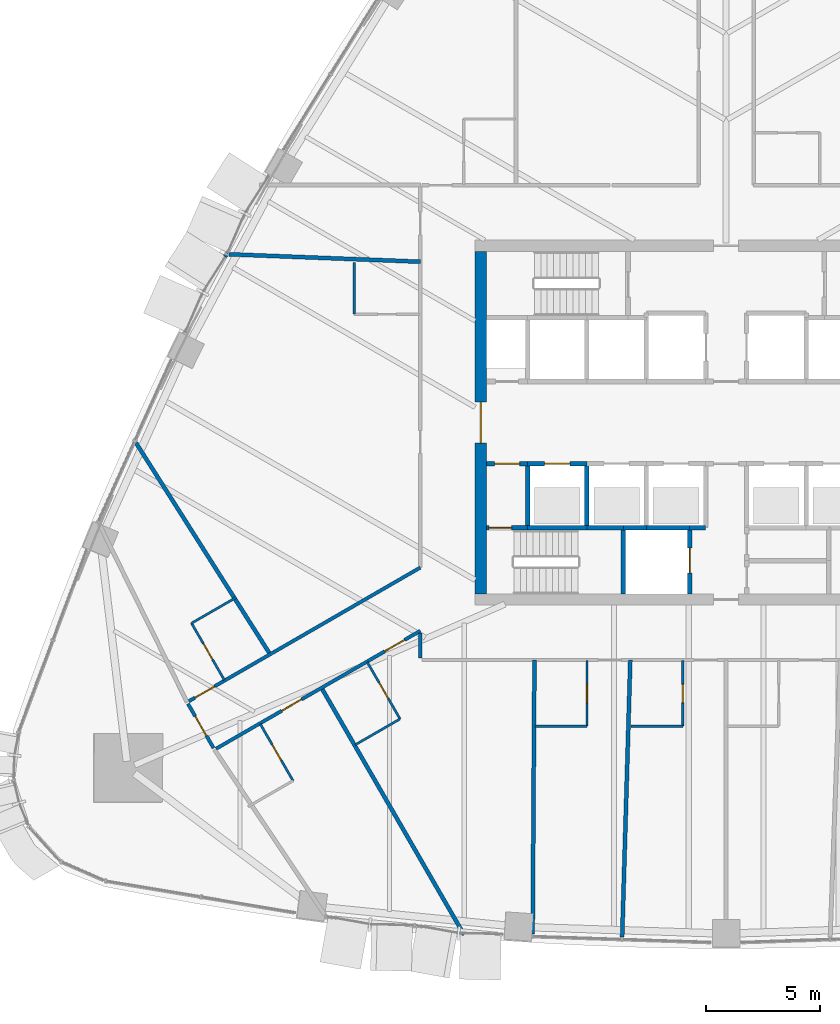
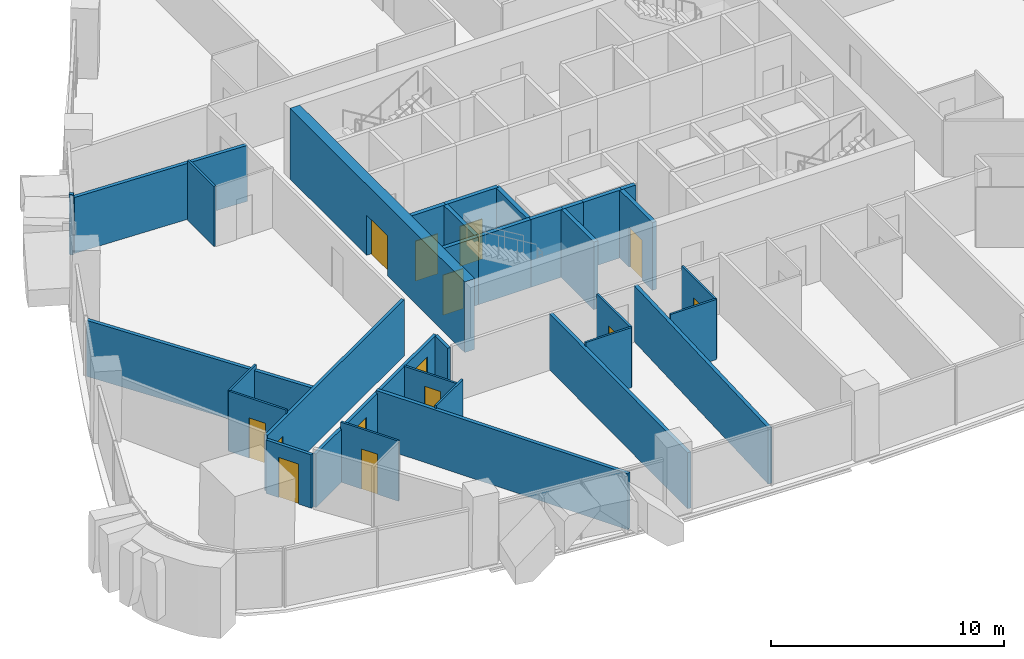
# One storey, part 10 of 18: 33 walls, 14 doors, 14 openings.
"""IFC4 building model written with IfcOpenShell, lengths in metres."""

from ifc_helpers import new_model, si_unit, direction, frame, frame_2d, origin, place, context, subcontext, project, spatial, rectangle, extrude, material, layer, layer_set, type_object, element, fill, save


model = new_model("IFC4")

# Units and contexts
model_context = context("Model", 3, precision=1e-05, world=origin(), true_north=direction((0.0, 1.0)))
body_context = subcontext(model_context, "Body", "Model", "MODEL_VIEW")
ifc_project = project(units=[si_unit("LENGTHUNIT", "METRE"), si_unit("AREAUNIT", "SQUARE_METRE"), si_unit("VOLUMEUNIT", "CUBIC_METRE"), si_unit("PLANEANGLEUNIT", "RADIAN"), si_unit("MASSUNIT", "GRAM", prefix="KILO")], contexts=[model_context])

# Site, building, storey
site_placement = place(None, origin())
site = spatial("IfcSite", under=ifc_project, at=site_placement, CompositionType="ELEMENT")
building_placement = place(site_placement, origin())
building = spatial("IfcBuilding", under=site, at=building_placement, Name="Sierra Prisma Convention Tower", CompositionType="ELEMENT")
storey_placement = place(building_placement, frame((0.0, 0.0, 81.300048828125)))
storey = spatial("IfcBuildingStorey", under=building, at=storey_placement, Name="L16", CompositionType="ELEMENT", Elevation=81.300048828125)

# Wall, opening, door
ifc_material_1 = material(Name="Gypsum board partition", Category="gypsum")
ifc_layer_1 = layer(ifc_material_1, 0.10009765625)
ifc_layer_set_1 = layer_set([ifc_layer_1], Name="Bathroom partition 100")
wall_type_1 = type_object("IfcWallType", Name="Bathroom partition 100", PredefinedType="PARTITIONING", material=ifc_layer_set_1)
wall_1_placement = place(storey_placement, frame((-21.989013671875, -11.27490234375, 0.0), z_axis=(0.0, 0.0, 1.0), x_axis=(-0.499972835562, 0.866041086612, 0.0)))
wall_1 = element("IfcWall", 1, at=wall_1_placement, inside=storey, type_object=wall_type_1, Name="Partition L16 bath 1", PredefinedType="PARTITIONING", context=body_context, shape_type="SweptSolid", body=[
    extrude(rectangle(XDim=2.869873046875, YDim=0.10009765625, at=frame_2d((1.43505859375, 0.0))), origin(), (0.0, 0.0, 1.0), 3.14990234375),
])
opening_1_placement = place(wall_1_placement, frame((1.034912109375, 0.0, 0.0)))
opening_1 = element("IfcOpeningElement", 2, at=opening_1_placement, cuts=wall_1, Name="Opening L16-D006", PredefinedType="OPENING", context=body_context, shape_type="SweptSolid", body=[
    extrude(rectangle(XDim=0.800048828125, YDim=2.10009765625, at=frame_2d((0.39990234375, 1.050048828125))), frame((0.0, 0.050048828125, 0.0), z_axis=(0.0, -1.0, 0.0), x_axis=(1.0, 0.0, 0.0)), (0.0, 0.0, 1.0), 0.10009765625),
])
ifc_material_2 = material(Name="Solid core timber door leaf", Category="wood")
door_type_1 = type_object("IfcDoorType", Name="Door 800x2100 plain", OperationType="SINGLE_SWING_LEFT", PredefinedType="DOOR", material=ifc_material_2)
door_1_placement = place(opening_1_placement, origin())
door_1 = element("IfcDoor", 3, at=door_1_placement, inside=storey, type_object=door_type_1, Name="Door L16 16", OperationType="SINGLE_SWING_RIGHT", OverallHeight=2.10009765625, OverallWidth=0.800048828125, PredefinedType="DOOR", context=body_context, shape_type="SweptSolid", body=[
    extrude(rectangle(XDim=0.800048828125, YDim=2.10009765625, at=frame_2d((0.39990234375, 1.050048828125))), frame((0.0, 0.02490234375, 0.0), z_axis=(0.0, -1.0, 0.0), x_axis=(1.0, 0.0, 0.0)), (0.0, 0.0, 1.0), 0.050048828125),
])
fill(opening_1, door_1)

# Wall
wall_2_placement = place(storey_placement, frame((-23.423828125, -8.78955078125, 0.0), z_axis=(0.0, 0.0, 1.0), x_axis=(0.866017224141, 0.500014167291, 0.0)))
element("IfcWall", 4, at=wall_2_placement, inside=storey, type_object=wall_type_1, Name="Partition L16 bath 2", PredefinedType="PARTITIONING", context=body_context, shape_type="SweptSolid", body=[
    extrude(rectangle(XDim=2.27001953125, YDim=0.10009765625, at=frame_2d((1.135009765625, 0.0))), origin(), (0.0, 0.0, 1.0), 3.14990234375),
])

# Wall, opening, door
wall_3_placement = place(storey_placement, frame((-20.41259765625, -13.20556640625, 0.0), z_axis=(0.0, 0.0, 1.0), x_axis=(0.500036638401, -0.866004249561, 0.0)))
wall_3 = element("IfcWall", 5, at=wall_3_placement, inside=storey, type_object=wall_type_1, Name="Partition L16 bath 3", PredefinedType="PARTITIONING", context=body_context, shape_type="SweptSolid", body=[
    extrude(rectangle(XDim=2.869873046875, YDim=0.10009765625, at=frame_2d((1.43505859375, 0.0))), origin(), (0.0, 0.0, 1.0), 3.14990234375),
])
opening_2_placement = place(wall_3_placement, frame((1.034912109375, 0.0, 0.0)))
opening_2 = element("IfcOpeningElement", 6, at=opening_2_placement, cuts=wall_3, Name="Opening L16-D007", PredefinedType="OPENING", context=body_context, shape_type="SweptSolid", body=[
    extrude(rectangle(XDim=0.800048828125, YDim=2.10009765625, at=frame_2d((0.39990234375, 1.050048828125))), frame((0.0, 0.050048828125, 0.0), z_axis=(0.0, -1.0, 0.0), x_axis=(1.0, 0.0, 0.0)), (0.0, 0.0, 1.0), 0.10009765625),
])
door_2_placement = place(opening_2_placement, origin())
door_2 = element("IfcDoor", 7, at=door_2_placement, inside=storey, type_object=door_type_1, Name="Door L16 19", OperationType="SINGLE_SWING_LEFT", OverallHeight=2.10009765625, OverallWidth=0.800048828125, PredefinedType="DOOR", context=body_context, shape_type="SweptSolid", body=[
    extrude(rectangle(XDim=0.800048828125, YDim=2.10009765625, at=frame_2d((0.39990234375, 1.050048828125))), frame((0.0, 0.02490234375, 0.0), z_axis=(0.0, -1.0, 0.0), x_axis=(1.0, 0.0, 0.0)), (0.0, 0.0, 1.0), 0.050048828125),
])
fill(opening_2, door_2)

# Wall
wall_4_placement = place(storey_placement, frame((-16.300048828125, 4.7490234375, 0.0), z_axis=(0.0, 0.0, 1.0), x_axis=(0.0, 1.0, 0.0)))
element("IfcWall", 8, at=wall_4_placement, inside=storey, type_object=wall_type_1, Name="Partition L16 bath 6", PredefinedType="PARTITIONING", context=body_context, shape_type="SweptSolid", body=[
    extrude(rectangle(XDim=2.27001953125, YDim=0.10009765625, at=frame_2d((1.135009765625, 0.0))), origin(), (0.0, 0.0, 1.0), 3.14990234375),
])

# Wall, opening, door
wall_5_placement = place(storey_placement, frame((-15.723388671875, -10.498046875, 0.0), z_axis=(0.0, 0.0, 1.0), x_axis=(0.499999802827, -0.866025517622, 0.0)))
wall_5 = element("IfcWall", 9, at=wall_5_placement, inside=storey, type_object=wall_type_1, Name="Partition L16 bath 7", PredefinedType="PARTITIONING", context=body_context, shape_type="SweptSolid", body=[
    extrude(rectangle(XDim=2.8701171875, YDim=0.10009765625, at=frame_2d((1.43505859375, 0.0))), origin(), (0.0, 0.0, 1.0), 2.796875),
])
opening_3_placement = place(wall_5_placement, frame((1.034912109375, 0.0, 0.0)))
opening_3 = element("IfcOpeningElement", 10, at=opening_3_placement, cuts=wall_5, Name="Opening L16-D008", PredefinedType="OPENING", context=body_context, shape_type="SweptSolid", body=[
    extrude(rectangle(XDim=0.800048828125, YDim=2.10009765625, at=frame_2d((0.39990234375, 1.050048828125))), frame((0.0, 0.050048828125, 0.0), z_axis=(0.0, -1.0, 0.0), x_axis=(1.0, 0.0, 0.0)), (0.0, 0.0, 1.0), 0.10009765625),
])
door_3_placement = place(opening_3_placement, origin())
door_3 = element("IfcDoor", 11, at=door_3_placement, inside=storey, type_object=door_type_1, Name="Door L16 21", OperationType="SINGLE_SWING_LEFT", OverallHeight=2.10009765625, OverallWidth=0.800048828125, PredefinedType="DOOR", context=body_context, shape_type="SweptSolid", body=[
    extrude(rectangle(XDim=0.800048828125, YDim=2.10009765625, at=frame_2d((0.39990234375, 1.050048828125))), frame((0.0, 0.02490234375, 0.0), z_axis=(0.0, -1.0, 0.0), x_axis=(1.0, 0.0, 0.0)), (0.0, 0.0, 1.0), 0.050048828125),
])
fill(opening_3, door_3)

# Wall
wall_6_placement = place(storey_placement, frame((-14.288330078125, -12.983642578125, 0.0), z_axis=(0.0, 0.0, 1.0), x_axis=(-0.866017224141, -0.500014167291, 0.0)))
element("IfcWall", 12, at=wall_6_placement, inside=storey, type_object=wall_type_1, Name="Partition L16 bath 8", PredefinedType="PARTITIONING", context=body_context, shape_type="SweptSolid", body=[
    extrude(rectangle(XDim=2.27001953125, YDim=0.10009765625, at=frame_2d((1.135009765625, 0.0))), origin(), (0.0, 0.0, 1.0), 3.093017578125),
])

# Wall, opening, door
wall_7_placement = place(storey_placement, frame((-6.10009765625, -10.429931640625, 0.0), z_axis=(0.0, 0.0, 1.0), x_axis=(0.0, -1.0, 0.0)))
wall_7 = element("IfcWall", 13, at=wall_7_placement, inside=storey, type_object=wall_type_1, Name="Partition L16 bath 11", PredefinedType="PARTITIONING", context=body_context, shape_type="SweptSolid", body=[
    extrude(rectangle(XDim=2.8701171875, YDim=0.10009765625, at=frame_2d((1.43505859375, 0.0))), origin(), (0.0, 0.0, 1.0), 3.14990234375),
])
opening_4_placement = place(wall_7_placement, frame((1.034912109375, 0.0, 0.0)))
opening_4 = element("IfcOpeningElement", 14, at=opening_4_placement, cuts=wall_7, Name="Opening L16-D009", PredefinedType="OPENING", context=body_context, shape_type="SweptSolid", body=[
    extrude(rectangle(XDim=0.800048828125, YDim=2.10009765625, at=frame_2d((0.39990234375, 1.050048828125))), frame((0.0, 0.050048828125, 0.0), z_axis=(0.0, -1.0, 0.0), x_axis=(1.0, 0.0, 0.0)), (0.0, 0.0, 1.0), 0.10009765625),
])
door_4_placement = place(opening_4_placement, origin())
door_4 = element("IfcDoor", 15, at=door_4_placement, inside=storey, type_object=door_type_1, Name="Door L16 23", OperationType="SINGLE_SWING_LEFT", OverallHeight=2.10009765625, OverallWidth=0.800048828125, PredefinedType="DOOR", context=body_context, shape_type="SweptSolid", body=[
    extrude(rectangle(XDim=0.800048828125, YDim=2.10009765625, at=frame_2d((0.39990234375, 1.050048828125))), frame((0.0, 0.02490234375, 0.0), z_axis=(0.0, -1.0, 0.0), x_axis=(1.0, 0.0, 0.0)), (0.0, 0.0, 1.0), 0.050048828125),
])
fill(opening_4, door_4)

# Wall
wall_8_placement = place(storey_placement, frame((-6.10009765625, -13.300048828125, 0.0), z_axis=(0.0, 0.0, 1.0), x_axis=(-1.0, 0.0, 0.0)))
element("IfcWall", 16, at=wall_8_placement, inside=storey, type_object=wall_type_1, Name="Partition L16 bath 12", PredefinedType="PARTITIONING", context=body_context, shape_type="SweptSolid", body=[
    extrude(rectangle(XDim=2.27001953125, YDim=0.10009765625, at=frame_2d((1.135009765625, 0.0))), origin(), (0.0, 0.0, 1.0), 3.14990234375),
])

# Wall, opening, door
wall_9_placement = place(storey_placement, frame((-1.89990234375, -10.429931640625, 0.0), z_axis=(0.0, 0.0, 1.0), x_axis=(0.0, -1.0, 0.0)))
wall_9 = element("IfcWall", 17, at=wall_9_placement, inside=storey, type_object=wall_type_1, Name="Partition L16 bath 13", PredefinedType="PARTITIONING", context=body_context, shape_type="SweptSolid", body=[
    extrude(rectangle(XDim=2.8701171875, YDim=0.10009765625, at=frame_2d((1.43505859375, 0.0))), origin(), (0.0, 0.0, 1.0), 3.14990234375),
])
opening_5_placement = place(wall_9_placement, frame((1.034912109375, 0.0, 0.0)))
opening_5 = element("IfcOpeningElement", 18, at=opening_5_placement, cuts=wall_9, Name="Opening L16-D010", PredefinedType="OPENING", context=body_context, shape_type="SweptSolid", body=[
    extrude(rectangle(XDim=0.800048828125, YDim=2.10009765625, at=frame_2d((0.39990234375, 1.050048828125))), frame((0.0, 0.050048828125, 0.0), z_axis=(0.0, -1.0, 0.0), x_axis=(1.0, 0.0, 0.0)), (0.0, 0.0, 1.0), 0.10009765625),
])
door_5_placement = place(opening_5_placement, origin())
door_5 = element("IfcDoor", 19, at=door_5_placement, inside=storey, type_object=door_type_1, Name="Door L16 25", OperationType="SINGLE_SWING_LEFT", OverallHeight=2.10009765625, OverallWidth=0.800048828125, PredefinedType="DOOR", context=body_context, shape_type="SweptSolid", body=[
    extrude(rectangle(XDim=0.800048828125, YDim=2.10009765625, at=frame_2d((0.39990234375, 1.050048828125))), frame((0.0, 0.02490234375, 0.0), z_axis=(0.0, -1.0, 0.0), x_axis=(1.0, 0.0, 0.0)), (0.0, 0.0, 1.0), 0.050048828125),
])
fill(opening_5, door_5)

# Wall
wall_10_placement = place(storey_placement, frame((-1.89990234375, -13.300048828125, 0.0), z_axis=(0.0, 0.0, 1.0), x_axis=(-1.0, 0.0, 0.0)))
element("IfcWall", 20, at=wall_10_placement, inside=storey, type_object=wall_type_1, Name="Partition L16 bath 14", PredefinedType="PARTITIONING", context=body_context, shape_type="SweptSolid", body=[
    extrude(rectangle(XDim=2.27001953125, YDim=0.10009765625, at=frame_2d((1.135009765625, 0.0))), origin(), (0.0, 0.0, 1.0), 3.14990234375),
])

# Wall, opening, door
ifc_material_3 = material(Name="Concrete C30/37", Category="concrete")
ifc_layer_2 = layer(ifc_material_3, 0.199951171875)
ifc_layer_set_2 = layer_set([ifc_layer_2], Name="Core wall RC 200 C30/37")
wall_type_2 = type_object("IfcWallType", Name="Core wall RC 200 C30/37", PredefinedType="SOLIDWALL", material=ifc_layer_set_2)
wall_11_placement = place(storey_placement, frame((-10.5, -4.60009765625, 0.0), z_axis=(0.0, 0.0, 1.0), x_axis=(1.0, 0.0, 0.0)))
wall_11 = element("IfcWall", 21, at=wall_11_placement, inside=storey, type_object=wall_type_2, Name="Core wall L16 1", PredefinedType="SOLIDWALL", context=body_context, shape_type="SweptSolid", body=[
    extrude(rectangle(XDim=1.800048828125, YDim=0.199951171875, at=frame_2d((0.89990234375, 0.0))), origin(), (0.0, 0.0, 1.0), 3.550048828125),
])
opening_6_placement = place(wall_11_placement, frame((0.10009765625, 0.0, 0.0)))
opening_6 = element("IfcOpeningElement", 22, at=opening_6_placement, cuts=wall_11, Name="Opening L16-D031", PredefinedType="OPENING", context=body_context, shape_type="SweptSolid", body=[
    extrude(rectangle(XDim=1.0, YDim=2.10009765625, at=frame_2d((0.5, 1.050048828125))), frame((0.0, 0.10009765625, 0.0), z_axis=(0.0, -1.0, 0.0), x_axis=(1.0, 0.0, 0.0)), (0.0, 0.0, 1.0), 0.199951171875),
])
ifc_material_4 = material(Name="Steel fire door leaf", Category="steel")
door_type_2 = type_object("IfcDoorType", Name="Door 1000x2100 FD90S", OperationType="SINGLE_SWING_LEFT", PredefinedType="DOOR", material=ifc_material_4)
door_6_placement = place(opening_6_placement, origin())
door_6 = element("IfcDoor", 23, at=door_6_placement, inside=storey, type_object=door_type_2, Name="Door L16 53", OperationType="SINGLE_SWING_LEFT", OverallHeight=2.10009765625, OverallWidth=1.0, PredefinedType="DOOR", context=body_context, shape_type="SweptSolid", body=[
    extrude(rectangle(XDim=1.0, YDim=2.10009765625, at=frame_2d((0.5, 1.050048828125))), frame((0.0, 0.02490234375, 0.0), z_axis=(0.0, -1.0, 0.0), x_axis=(1.0, 0.0, 0.0)), (0.0, 0.0, 1.0), 0.050048828125),
])
fill(opening_6, door_6)

wall_12_placement = place(storey_placement, frame((-10.5, -1.800048828125, 0.0), z_axis=(0.0, 0.0, 1.0), x_axis=(1.0, 0.0, 0.0)))
wall_12 = element("IfcWall", 24, at=wall_12_placement, inside=storey, type_object=wall_type_2, Name="Core wall L16 2", PredefinedType="SOLIDWALL", context=body_context, shape_type="SweptSolid", body=[
    extrude(rectangle(XDim=1.800048828125, YDim=0.199951171875, at=frame_2d((0.89990234375, 0.0))), origin(), (0.0, 0.0, 1.0), 3.550048828125),
])
opening_7_placement = place(wall_12_placement, frame((0.35009765625, 0.0, 0.0)))
opening_7 = element("IfcOpeningElement", 25, at=opening_7_placement, cuts=wall_12, Name="Opening L16-D025", PredefinedType="OPENING", context=body_context, shape_type="SweptSolid", body=[
    extrude(rectangle(XDim=1.10009765625, YDim=2.10009765625, at=frame_2d((0.550048828125, 1.050048828125))), frame((0.0, 0.10009765625, 0.0), z_axis=(0.0, -1.0, 0.0), x_axis=(1.0, 0.0, 0.0)), (0.0, 0.0, 1.0), 0.199951171875),
])
ifc_material_5 = material(Name="Steel fire door leaf", Category="steel")
door_type_3 = type_object("IfcDoorType", Name="Door 1100x2100 FD90S", OperationType="SINGLE_SWING_LEFT", PredefinedType="DOOR", material=ifc_material_5)
door_7_placement = place(opening_7_placement, origin())
door_7 = element("IfcDoor", 26, at=door_7_placement, inside=storey, type_object=door_type_3, Name="Door L16 47", OperationType="SINGLE_SWING_LEFT", OverallHeight=2.10009765625, OverallWidth=1.10009765625, PredefinedType="DOOR", context=body_context, shape_type="SweptSolid", body=[
    extrude(rectangle(XDim=1.10009765625, YDim=2.10009765625, at=frame_2d((0.550048828125, 1.050048828125))), frame((0.0, 0.02490234375, 0.0), z_axis=(0.0, -1.0, 0.0), x_axis=(1.0, 0.0, 0.0)), (0.0, 0.0, 1.0), 0.050048828125),
])
fill(opening_7, door_7)

# Walls
wall_13_placement = place(storey_placement, frame((-8.699951171875, -4.60009765625, 0.0), z_axis=(0.0, 0.0, 1.0), x_axis=(1.0, 0.0, 0.0)))
element("IfcWall", 27, at=wall_13_placement, inside=storey, type_object=wall_type_2, Name="Core wall L16 5", PredefinedType="SOLIDWALL", context=body_context, shape_type="SweptSolid", body=[
    extrude(rectangle(XDim=2.599853515625, YDim=0.199951171875, at=frame_2d((1.2998046875, 0.0))), origin(), (0.0, 0.0, 1.0), 3.550048828125),
])
wall_14_placement = place(storey_placement, frame((-8.699951171875, -4.60009765625, 0.0), z_axis=(0.0, 0.0, 1.0), x_axis=(0.0, 1.0, 0.0)))
element("IfcWall", 28, at=wall_14_placement, inside=storey, type_object=wall_type_2, Name="Core wall L16 6", PredefinedType="SOLIDWALL", context=body_context, shape_type="SweptSolid", body=[
    extrude(rectangle(XDim=2.800048828125, YDim=0.199951171875, at=frame_2d((1.39990234375, 0.0))), origin(), (0.0, 0.0, 1.0), 3.550048828125),
])

# Wall, opening, door
wall_15_placement = place(storey_placement, frame((-8.699951171875, -1.800048828125, 0.0), z_axis=(0.0, 0.0, 1.0), x_axis=(1.0, 0.0, 0.0)))
wall_15 = element("IfcWall", 29, at=wall_15_placement, inside=storey, type_object=wall_type_2, Name="Core wall L16 7", PredefinedType="SOLIDWALL", context=body_context, shape_type="SweptSolid", body=[
    extrude(rectangle(XDim=2.599853515625, YDim=0.199951171875, at=frame_2d((1.2998046875, 0.0))), origin(), (0.0, 0.0, 1.0), 3.550048828125),
])
opening_8_placement = place(wall_15_placement, frame((0.75, 0.0, 0.0)))
opening_8 = element("IfcOpeningElement", 30, at=opening_8_placement, cuts=wall_15, Name="Opening L16-D016", PredefinedType="OPENING", context=body_context, shape_type="SweptSolid", body=[
    extrude(rectangle(XDim=1.10009765625, YDim=2.10009765625, at=frame_2d((0.550048828125, 1.050048828125))), frame((0.0, 0.10009765625, 0.0), z_axis=(0.0, -1.0, 0.0), x_axis=(1.0, 0.0, 0.0)), (0.0, 0.0, 1.0), 0.199951171875),
])
ifc_material_6 = material(Name="Steel fire door leaf", Category="steel")
door_type_4 = type_object("IfcDoorType", Name="Door 1100x2100 EI 90 sliding lift landing", OperationType="SLIDING_TO_LEFT", PredefinedType="DOOR", material=ifc_material_6)
door_8_placement = place(opening_8_placement, origin())
door_8 = element("IfcDoor", 31, at=door_8_placement, inside=storey, type_object=door_type_4, Name="Door L16 38", OperationType="SLIDING_TO_RIGHT", OverallHeight=2.10009765625, OverallWidth=1.10009765625, PredefinedType="DOOR", context=body_context, shape_type="SweptSolid", body=[
    extrude(rectangle(XDim=1.10009765625, YDim=2.10009765625, at=frame_2d((0.550048828125, 1.050048828125))), frame((0.0, 0.02490234375, 0.0), z_axis=(0.0, -1.0, 0.0), x_axis=(1.0, 0.0, 0.0)), (0.0, 0.0, 1.0), 0.050048828125),
])
fill(opening_8, door_8)

# Walls
wall_16_placement = place(storey_placement, frame((-6.10009765625, -4.60009765625, 0.0), z_axis=(0.0, 0.0, 1.0), x_axis=(1.0, 0.0, 0.0)))
element("IfcWall", 32, at=wall_16_placement, inside=storey, type_object=wall_type_2, Name="Core wall L16 11", PredefinedType="SOLIDWALL", context=body_context, shape_type="SweptSolid", body=[
    extrude(rectangle(XDim=1.60009765625, YDim=0.199951171875, at=frame_2d((0.800048828125, 0.0))), origin(), (0.0, 0.0, 1.0), 3.550048828125),
])
wall_17_placement = place(storey_placement, frame((-6.10009765625, -4.60009765625, 0.0), z_axis=(0.0, 0.0, 1.0), x_axis=(0.0, 1.0, 0.0)))
element("IfcWall", 33, at=wall_17_placement, inside=storey, type_object=wall_type_2, Name="Core wall L16 12", PredefinedType="SOLIDWALL", context=body_context, shape_type="SweptSolid", body=[
    extrude(rectangle(XDim=2.800048828125, YDim=0.199951171875, at=frame_2d((1.39990234375, 0.0))), origin(), (0.0, 0.0, 1.0), 3.550048828125),
])
wall_18_placement = place(storey_placement, frame((-4.5, -4.60009765625, 0.0), z_axis=(0.0, 0.0, 1.0), x_axis=(0.0, -1.0, 0.0)))
element("IfcWall", 34, at=wall_18_placement, inside=storey, type_object=wall_type_2, Name="Core wall L16 17", PredefinedType="SOLIDWALL", context=body_context, shape_type="SweptSolid", body=[
    extrude(rectangle(XDim=2.89990234375, YDim=0.199951171875, at=frame_2d((1.449951171875, 0.0))), origin(), (0.0, 0.0, 1.0), 3.550048828125),
])
wall_19_placement = place(storey_placement, frame((-4.5, -4.60009765625, 0.0), z_axis=(0.0, 0.0, 1.0), x_axis=(1.0, 0.0, 0.0)))
element("IfcWall", 35, at=wall_19_placement, inside=storey, type_object=wall_type_2, Name="Core wall L16 18", PredefinedType="SOLIDWALL", context=body_context, shape_type="SweptSolid", body=[
    extrude(rectangle(XDim=1.0, YDim=0.199951171875, at=frame_2d((0.5, 0.0))), origin(), (0.0, 0.0, 1.0), 3.550048828125),
])
wall_20_placement = place(storey_placement, frame((-3.5, -4.60009765625, 0.0), z_axis=(0.0, 0.0, 1.0), x_axis=(1.0, 0.0, 0.0)))
element("IfcWall", 36, at=wall_20_placement, inside=storey, type_object=wall_type_2, Name="Core wall L16 21", PredefinedType="SOLIDWALL", context=body_context, shape_type="SweptSolid", body=[
    extrude(rectangle(XDim=1.89990234375, YDim=0.199951171875, at=frame_2d((0.949951171875, 0.0))), origin(), (0.0, 0.0, 1.0), 3.550048828125),
])

# Wall, opening, door
wall_21_placement = place(storey_placement, frame((-1.60009765625, -7.5, 0.0), z_axis=(0.0, 0.0, 1.0), x_axis=(0.0, 1.0, 0.0)))
wall_21 = element("IfcWall", 37, at=wall_21_placement, inside=storey, type_object=wall_type_2, Name="Core wall L16 29", PredefinedType="SOLIDWALL", context=body_context, shape_type="SweptSolid", body=[
    extrude(rectangle(XDim=2.89990234375, YDim=0.199951171875, at=frame_2d((1.449951171875, 0.0))), origin(), (0.0, 0.0, 1.0), 3.550048828125),
])
opening_9_placement = place(wall_21_placement, frame((0.89990234375, 0.0, 0.0)))
opening_9 = element("IfcOpeningElement", 38, at=opening_9_placement, cuts=wall_21, Name="Opening L16-D024", PredefinedType="OPENING", context=body_context, shape_type="SweptSolid", body=[
    extrude(rectangle(XDim=1.10009765625, YDim=2.10009765625, at=frame_2d((0.550048828125, 1.050048828125))), frame((0.0, 0.10009765625, 0.0), z_axis=(0.0, -1.0, 0.0), x_axis=(1.0, 0.0, 0.0)), (0.0, 0.0, 1.0), 0.199951171875),
])
door_9_placement = place(opening_9_placement, origin())
door_9 = element("IfcDoor", 39, at=door_9_placement, inside=storey, type_object=door_type_4, Name="Door L16 46", OperationType="SLIDING_TO_RIGHT", OverallHeight=2.10009765625, OverallWidth=1.10009765625, PredefinedType="DOOR", context=body_context, shape_type="SweptSolid", body=[
    extrude(rectangle(XDim=1.10009765625, YDim=2.10009765625, at=frame_2d((0.550048828125, 1.050048828125))), frame((0.0, 0.02490234375, 0.0), z_axis=(0.0, -1.0, 0.0), x_axis=(1.0, 0.0, 0.0)), (0.0, 0.0, 1.0), 0.050048828125),
])
fill(opening_9, door_9)

# Wall
wall_22_placement = place(storey_placement, frame((-1.60009765625, -4.60009765625, 0.0), z_axis=(0.0, 0.0, 1.0), x_axis=(1.0, 0.0, 0.0)))
element("IfcWall", 40, at=wall_22_placement, inside=storey, type_object=wall_type_2, Name="Core wall L16 30", PredefinedType="SOLIDWALL", context=body_context, shape_type="SweptSolid", body=[
    extrude(rectangle(XDim=0.7001953125, YDim=0.199951171875, at=frame_2d((0.35009765625, 0.0))), origin(), (0.0, 0.0, 1.0), 3.550048828125),
])

# Wall, opening, door
ifc_material_7 = material(Name="Concrete C60/75", Category="concrete")
ifc_layer_3 = layer(ifc_material_7, 0.5)
ifc_layer_set_3 = layer_set([ifc_layer_3], Name="Core wall RC 500 C60/75")
wall_type_3 = type_object("IfcWallType", Name="Core wall RC 500 C60/75", PredefinedType="SHEAR", material=ifc_layer_set_3)
wall_23_placement = place(storey_placement, frame((-10.75, -7.5, 0.0), z_axis=(0.0, 0.0, 1.0), x_axis=(0.0, 1.0, 0.0)))
wall_23 = element("IfcWall", 41, at=wall_23_placement, inside=storey, type_object=wall_type_3, Name="Core wall W L16", PredefinedType="SHEAR", context=body_context, shape_type="SweptSolid", body=[
    extrude(rectangle(XDim=15.0, YDim=0.5, at=frame_2d((7.5, 0.0))), origin(), (0.0, 0.0, 1.0), 3.699951171875),
])
opening_10_placement = place(wall_23_placement, frame((6.60009765625, 0.0, 0.0)))
opening_10 = element("IfcOpeningElement", 42, at=opening_10_placement, cuts=wall_23, Name="Opening L16-D062", PredefinedType="OPENING", context=body_context, shape_type="SweptSolid", body=[
    extrude(rectangle(XDim=1.800048828125, YDim=2.10009765625, at=frame_2d((0.89990234375, 1.050048828125))), frame((0.0, 0.25, 0.0), z_axis=(0.0, -1.0, 0.0), x_axis=(1.0, 0.0, 0.0)), (0.0, 0.0, 1.0), 0.5),
])
ifc_material_8 = material(Name="Steel fire door leaf", Category="steel")
door_type_5 = type_object("IfcDoorType", Name="Door 1800x2100 FD60S", OperationType="DOUBLE_DOOR_SINGLE_SWING", PredefinedType="DOOR", material=ifc_material_8)
door_10_placement = place(opening_10_placement, origin())
door_10 = element("IfcDoor", 43, at=door_10_placement, inside=storey, type_object=door_type_5, Name="Door L16 59", OperationType="DOUBLE_DOOR_SINGLE_SWING", OverallHeight=2.10009765625, OverallWidth=1.800048828125, PredefinedType="DOOR", context=body_context, shape_type="SweptSolid", body=[
    extrude(rectangle(XDim=1.800048828125, YDim=2.10009765625, at=frame_2d((0.89990234375, 1.050048828125))), frame((0.0, 0.02490234375, 0.0), z_axis=(0.0, -1.0, 0.0), x_axis=(1.0, 0.0, 0.0)), (0.0, 0.0, 1.0), 0.050048828125),
])
fill(opening_10, door_10)

ifc_material_9 = material(Name="Gypsum board partition", Category="gypsum")
ifc_layer_4 = layer(ifc_material_9, 0.14990234375)
ifc_layer_set_4 = layer_set([ifc_layer_4], Name="Corridor wall 150 gypsum EI 60")
wall_type_4 = type_object("IfcWallType", Name="Corridor wall 150 gypsum EI 60", PredefinedType="PARTITIONING", material=ifc_layer_set_4)
wall_24_placement = place(storey_placement, frame((-23.579345703125, -12.3203125, 0.0), z_axis=(0.0, 0.0, 1.0), x_axis=(0.49994888933, -0.866054910533, 0.0)))
wall_24 = element("IfcWall", 44, at=wall_24_placement, inside=storey, type_object=wall_type_4, Name="Partition L16 corr 1", PredefinedType="PARTITIONING", context=body_context, shape_type="SweptSolid", body=[
    extrude(rectangle(XDim=2.239990234375, YDim=0.14990234375, at=frame_2d((1.1201171875, 0.0))), origin(), (0.0, 0.0, 1.0), 2.796875),
])
opening_11_placement = place(wall_24_placement, frame((0.6201171875, 0.0, 0.0)))
opening_11 = element("IfcOpeningElement", 45, at=opening_11_placement, cuts=wall_24, Name="Opening L16-D047", PredefinedType="OPENING", context=body_context, shape_type="SweptSolid", body=[
    extrude(rectangle(XDim=1.0, YDim=2.10009765625, at=frame_2d((0.5, 1.050048828125))), frame((0.0, 0.074951171875, 0.0), z_axis=(0.0, -1.0, 0.0), x_axis=(1.0, 0.0, 0.0)), (0.0, 0.0, 1.0), 0.14990234375),
])
ifc_material_10 = material(Name="Steel fire door leaf", Category="steel")
door_type_6 = type_object("IfcDoorType", Name="Door 1000x2100 FD30S", OperationType="SINGLE_SWING_LEFT", PredefinedType="DOOR", material=ifc_material_10)
door_11_placement = place(opening_11_placement, origin())
door_11 = element("IfcDoor", 46, at=door_11_placement, inside=storey, type_object=door_type_6, Name="Door L16 17", OperationType="SINGLE_SWING_RIGHT", OverallHeight=2.10009765625, OverallWidth=1.0, PredefinedType="DOOR", context=body_context, shape_type="SweptSolid", body=[
    extrude(rectangle(XDim=1.0, YDim=2.10009765625, at=frame_2d((0.5, 1.050048828125))), frame((0.0, 0.02490234375, 0.0), z_axis=(0.0, -1.0, 0.0), x_axis=(1.0, 0.0, 0.0)), (0.0, 0.0, 1.0), 0.050048828125),
])
fill(opening_11, door_11)

wall_25_placement = place(storey_placement, frame((-13.39990234375, -6.350830078125, 0.0), z_axis=(0.0, 0.0, 1.0), x_axis=(-0.866028447449, -0.499994728181, 0.0)))
wall_25 = element("IfcWall", 47, at=wall_25_placement, inside=storey, type_object=wall_type_4, Name="Partition L16 corr 3", PredefinedType="PARTITIONING", context=body_context, shape_type="SweptSolid", body=[
    extrude(rectangle(XDim=11.720458984375, YDim=0.14990234375, at=frame_2d((5.8603515625, 0.0))), origin(), (0.0, 0.0, 1.0), 2.947021484375),
])
opening_12_placement = place(wall_25_placement, frame((10.400390625, 0.0, 0.0)))
opening_12 = element("IfcOpeningElement", 48, at=opening_12_placement, cuts=wall_25, Name="Opening L16-D046", PredefinedType="OPENING", context=body_context, shape_type="SweptSolid", body=[
    extrude(rectangle(XDim=1.0, YDim=2.10009765625, at=frame_2d((0.5, 1.050048828125))), frame((0.0, 0.074951171875, 0.0), z_axis=(0.0, -1.0, 0.0), x_axis=(1.0, 0.0, 0.0)), (0.0, 0.0, 1.0), 0.14990234375),
])
door_12_placement = place(opening_12_placement, origin())
door_12 = element("IfcDoor", 49, at=door_12_placement, inside=storey, type_object=door_type_6, Name="Door L16 15", OperationType="SINGLE_SWING_LEFT", OverallHeight=2.10009765625, OverallWidth=1.0, PredefinedType="DOOR", context=body_context, shape_type="SweptSolid", body=[
    extrude(rectangle(XDim=1.0, YDim=2.10009765625, at=frame_2d((0.5, 1.050048828125))), frame((0.0, 0.02490234375, 0.0), z_axis=(0.0, -1.0, 0.0), x_axis=(1.0, 0.0, 0.0)), (0.0, 0.0, 1.0), 0.050048828125),
])
fill(opening_12, door_12)

# Wall, openings, doors
wall_26_placement = place(storey_placement, frame((-22.35009765625, -14.28955078125, 0.0), z_axis=(0.0, 0.0, 1.0), x_axis=(0.866021934756, 0.500006008485, 0.0)))
wall_26 = element("IfcWall", 50, at=wall_26_placement, inside=storey, type_object=wall_type_4, Name="Partition L16 corr 4", PredefinedType="PARTITIONING", context=body_context, shape_type="SweptSolid", body=[
    extrude(rectangle(XDim=10.334716796875, YDim=0.14990234375, at=frame_2d((5.16748046875, 0.0))), origin(), (0.0, 0.0, 1.0), 2.796875),
])
opening_13_placement = place(wall_26_placement, frame((3.327392578125, 0.0, 0.0)))
opening_13 = element("IfcOpeningElement", 51, at=opening_13_placement, cuts=wall_26, Name="Opening L16-D048", PredefinedType="OPENING", context=body_context, shape_type="SweptSolid", body=[
    extrude(rectangle(XDim=1.0, YDim=2.10009765625, at=frame_2d((0.5, 1.050048828125))), frame((0.0, 0.074951171875, 0.0), z_axis=(0.0, -1.0, 0.0), x_axis=(1.0, 0.0, 0.0)), (0.0, 0.0, 1.0), 0.14990234375),
])
opening_14_placement = place(wall_26_placement, frame((8.53466796875, 0.0, 0.0)))
opening_14 = element("IfcOpeningElement", 52, at=opening_14_placement, cuts=wall_26, Name="Opening L16-D049", PredefinedType="OPENING", context=body_context, shape_type="SweptSolid", body=[
    extrude(rectangle(XDim=1.0, YDim=2.10009765625, at=frame_2d((0.5, 1.050048828125))), frame((0.0, 0.074951171875, 0.0), z_axis=(0.0, -1.0, 0.0), x_axis=(1.0, 0.0, 0.0)), (0.0, 0.0, 1.0), 0.14990234375),
])
door_13_placement = place(opening_13_placement, origin())
door_13 = element("IfcDoor", 53, at=door_13_placement, inside=storey, type_object=door_type_6, Name="Door L16 18", OperationType="SINGLE_SWING_LEFT", OverallHeight=2.10009765625, OverallWidth=1.0, PredefinedType="DOOR", context=body_context, shape_type="SweptSolid", body=[
    extrude(rectangle(XDim=1.0, YDim=2.10009765625, at=frame_2d((0.5, 1.050048828125))), frame((0.0, 0.02490234375, 0.0), z_axis=(0.0, -1.0, 0.0), x_axis=(1.0, 0.0, 0.0)), (0.0, 0.0, 1.0), 0.050048828125),
])
fill(opening_13, door_13)
door_14_placement = place(opening_14_placement, origin())
door_14 = element("IfcDoor", 54, at=door_14_placement, inside=storey, type_object=door_type_6, Name="Door L16 20", OperationType="SINGLE_SWING_LEFT", OverallHeight=2.10009765625, OverallWidth=1.0, PredefinedType="DOOR", context=body_context, shape_type="SweptSolid", body=[
    extrude(rectangle(XDim=1.0, YDim=2.10009765625, at=frame_2d((0.5, 1.050048828125))), frame((0.0, 0.02490234375, 0.0), z_axis=(0.0, -1.0, 0.0), x_axis=(1.0, 0.0, 0.0)), (0.0, 0.0, 1.0), 0.050048828125),
])
fill(opening_14, door_14)

# Walls
wall_27_placement = place(storey_placement, frame((-13.39990234375, -9.213623046875, 0.0), z_axis=(0.0, 0.0, 1.0), x_axis=(0.0, -1.0, 0.0)))
element("IfcWall", 55, at=wall_27_placement, inside=storey, type_object=wall_type_4, Name="Partition L16 corr 5", PredefinedType="PARTITIONING", context=body_context, shape_type="SweptSolid", body=[
    extrude(rectangle(XDim=1.1064453125, YDim=0.14990234375, at=frame_2d((0.55322265625, 0.0))), origin(), (0.0, 0.0, 1.0), 2.796875),
])
ifc_material_11 = material(Name="Acoustic gypsum board partition", Category="gypsum")
ifc_layer_5 = layer(ifc_material_11, 0.175048828125)
ifc_layer_set_5 = layer_set([ifc_layer_5], Name="Guest room party wall 175 acoustic EI 60")
wall_type_5 = type_object("IfcWallType", Name="Guest room party wall 175 acoustic EI 60", PredefinedType="PARTITIONING", material=ifc_layer_set_5)
wall_28_placement = place(storey_placement, frame((-19.982177734375, -10.15087890625, 0.0), z_axis=(0.0, 0.0, 1.0), x_axis=(-0.535687161916, 0.844416523144, 0.0)))
element("IfcWall", 56, at=wall_28_placement, inside=storey, type_object=wall_type_5, Name="Partition L16 hparty 2", PredefinedType="PARTITIONING", context=body_context, shape_type="SweptSolid", body=[
    extrude(rectangle(XDim=10.97216796875, YDim=0.175048828125, at=frame_2d((5.486083984375, 0.0))), origin(), (0.0, 0.0, 1.0), 2.933837890625),
])
wall_29_placement = place(storey_placement, frame((-21.836669921875, 7.2880859375, 0.0), z_axis=(0.0, 0.0, 1.0), x_axis=(-0.77226902916, 0.635295637164, 0.0)))
element("IfcWall", 57, at=wall_29_placement, inside=storey, type_object=wall_type_5, Name="Partition L16 hparty 4", PredefinedType="PARTITIONING", context=body_context, shape_type="SweptSolid", body=[
    extrude(rectangle(XDim=0.187255859375, YDim=0.175048828125, at=frame_2d((0.09375, 0.0))), origin(), (0.0, 0.0, 1.0), 3.14990234375),
])
wall_30_placement = place(storey_placement, frame((-21.78662109375, 7.37451171875, 0.0), z_axis=(0.0, 0.0, 1.0), x_axis=(0.999247968332, -0.038774963373, 0.0)))
element("IfcWall", 58, at=wall_30_placement, inside=storey, type_object=wall_type_5, Name="Partition L16 hparty 5", PredefinedType="PARTITIONING", context=body_context, shape_type="SweptSolid", body=[
    extrude(rectangle(XDim=8.39306640625, YDim=0.175048828125, at=frame_2d((4.196533203125, 0.0))), origin(), (0.0, 0.0, 1.0), 2.933837890625),
])
wall_31_placement = place(storey_placement, frame((-17.72998046875, -11.6220703125, 0.0), z_axis=(0.0, 0.0, 1.0), x_axis=(0.499991403274, -0.86603036705, 0.0)))
element("IfcWall", 59, at=wall_31_placement, inside=storey, type_object=wall_type_5, Name="Partition L16 hparty 7", PredefinedType="PARTITIONING", context=body_context, shape_type="SweptSolid", body=[
    extrude(rectangle(XDim=12.493896484375, YDim=0.175048828125, at=frame_2d((6.2470703125, 0.0))), origin(), (0.0, 0.0, 1.0), 2.933837890625),
])
wall_32_placement = place(storey_placement, frame((-8.39990234375, -10.39990234375, 0.0), z_axis=(0.0, 0.0, 1.0), x_axis=(-0.006564899179, -0.999978450817, 0.0)))
element("IfcWall", 60, at=wall_32_placement, inside=storey, type_object=wall_type_5, Name="Partition L16 hparty 9", PredefinedType="PARTITIONING", context=body_context, shape_type="SweptSolid", body=[
    extrude(rectangle(XDim=12.011962890625, YDim=0.175048828125, at=frame_2d((6.005859375, 0.0))), origin(), (0.0, 0.0, 1.0), 2.933837890625),
])
wall_33_placement = place(storey_placement, frame((-4.199951171875, -10.39990234375, 0.0), z_axis=(0.0, 0.0, 1.0), x_axis=(-0.029364204568, -0.999568778769, 0.0)))
element("IfcWall", 61, at=wall_33_placement, inside=storey, type_object=wall_type_5, Name="Partition L16 hparty 11", PredefinedType="PARTITIONING", context=body_context, shape_type="SweptSolid", body=[
    extrude(rectangle(XDim=12.14697265625, YDim=0.175048828125, at=frame_2d((6.073486328125, 0.0))), origin(), (0.0, 0.0, 1.0), 2.933837890625),
])

save(model, "model.ifc")
